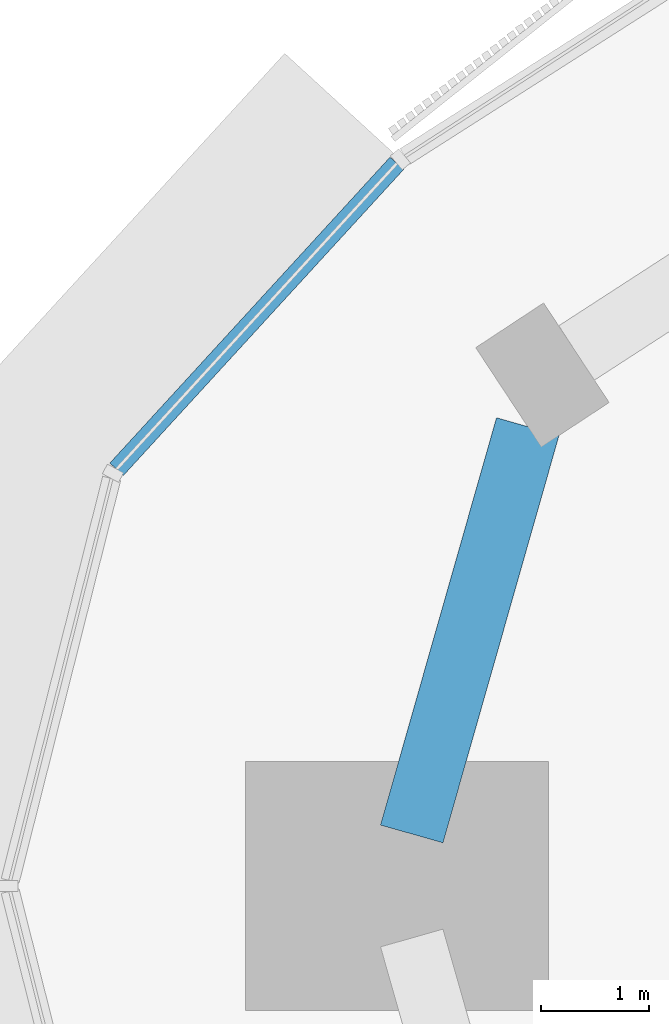
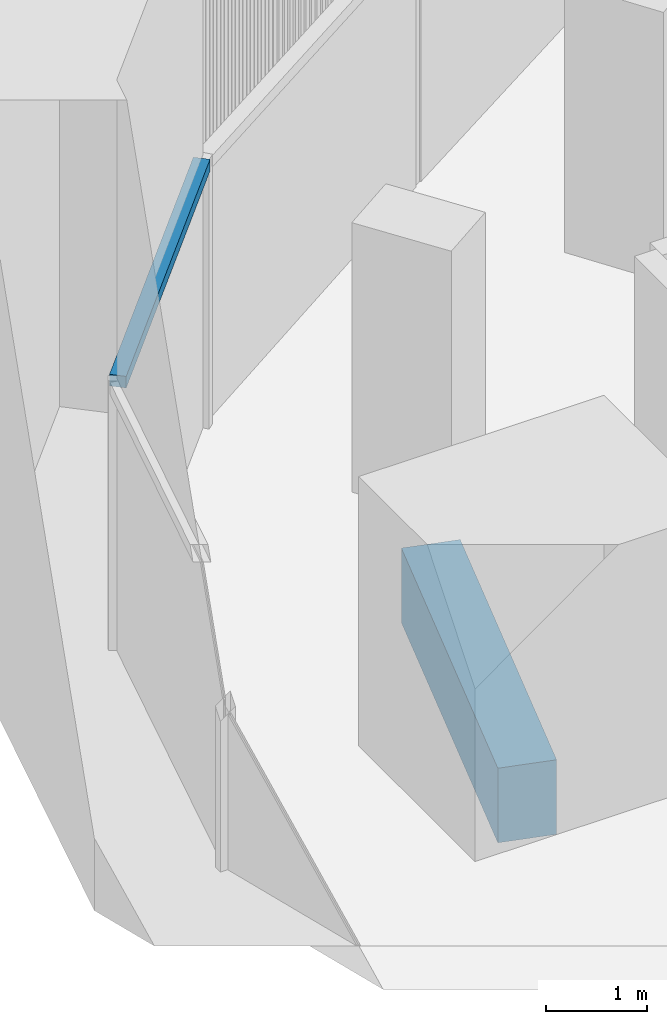
# One storey, part 3 of 16: 1 beam, 1 member, 1 element without a shape of its own.
"""IFC4 building model written with IfcOpenShell, lengths in metres."""

from ifc_helpers import new_model, si_unit, direction, frame, origin, origin_2d, place, context, subcontext, project, spatial, rectangle, extrude, material, material_profile, profile_set, type_object, element, aggregate, save


model = new_model("IFC4")

# Units and contexts
model_context = context("Model", 3, precision=1e-05, world=origin(), true_north=direction((0.0, 1.0)))
body_context = subcontext(model_context, "Body", "Model", "MODEL_VIEW")
ifc_project = project(units=[si_unit("LENGTHUNIT", "METRE"), si_unit("AREAUNIT", "SQUARE_METRE"), si_unit("VOLUMEUNIT", "CUBIC_METRE"), si_unit("PLANEANGLEUNIT", "RADIAN"), si_unit("MASSUNIT", "GRAM", prefix="KILO")], contexts=[model_context])

# Site, building, storey
site_placement = place(None, origin())
site = spatial("IfcSite", under=ifc_project, at=site_placement, CompositionType="ELEMENT")
building_placement = place(site_placement, origin())
building = spatial("IfcBuilding", under=site, at=building_placement, Name="Tamra Quay Hotel Tower", CompositionType="ELEMENT")
storey_placement = place(building_placement, frame((0.0, 0.0, 243.0)))
storey = spatial("IfcBuildingStorey", under=building, at=storey_placement, Name="L61", CompositionType="ELEMENT", Elevation=243.0)

# Beam
ifc_material_1 = material(Name="Concrete M60", Category="concrete")
ifc_material_profile_1 = material_profile(ifc_material_1, rectangle(XDim=0.60009765625, YDim=0.89990234375, at=origin_2d()), Name="SPANDREL BEAM RC 600x900")
ifc_profile_set_1 = profile_set([ifc_material_profile_1], Name="Concrete M60")
beam_type = type_object("IfcBeamType", Name="SPANDREL BEAM RC 600x900", PredefinedType="SPANDREL", material=ifc_profile_set_1)
beam_placement = place(storey_placement, frame((-24.2119140625, 4.24365234375, -0.800048828125), z_axis=(-0.273913429616, -0.961754351732, 0.0), x_axis=(0.961754351732, -0.273913429616, 0.0)))
element("IfcBeam", 1, at=beam_placement, inside=storey, type_object=beam_type, Name="BM-SP5-018-L61", PredefinedType="SPANDREL", context=body_context, shape_type="SweptSolid", body=[
    extrude(rectangle(XDim=0.60009765625, YDim=0.89990234375, at=origin_2d()), origin(), (0.0, 0.0, 1.0), 3.912841796875),
])

# Curtain wall, member
ifc_material_2 = material(Name="Aluminium 6063 anodised dark grey", Category="aluminium")
curtain_wall_type = type_object("IfcCurtainWallType", Name="CW2 CURTAIN WALL", PredefinedType="NOTDEFINED", material=ifc_material_2)
curtain_wall_placement = place(storey_placement, origin())
curtain_wall = element("IfcCurtainWall", 2, at=curtain_wall_placement, inside=storey, type_object=curtain_wall_type, Name="CW2 north-west face L61", PredefinedType="NOTDEFINED")
ifc_material_profile_2 = material_profile(ifc_material_2, rectangle(XDim=0.169921875, YDim=0.139892578125, at=origin_2d()), Name="TRANSOM 170X140")
ifc_profile_set_2 = profile_set([ifc_material_profile_2], Name="Aluminium 6063 anodised dark grey")
member_type = type_object("IfcMemberType", Name="TRANSOM CW2 Z5", PredefinedType="USERDEFINED", material=ifc_profile_set_2)
member_placement = place(storey_placement, frame((-25.421630859375, 6.67578125, 3.179931640625), z_axis=(-0.675436113267, -0.737418508647, 0.0), x_axis=(0.737418508647, -0.675436113267, 0.0)))
member = element("IfcMember", 3, at=member_placement, type_object=member_type, Name="CW2 transom L61.NW.9", ObjectType="TRANSOM", PredefinedType="USERDEFINED", context=body_context, shape_type="SweptSolid", body=[
    extrude(rectangle(XDim=0.169921875, YDim=0.139892578125, at=origin_2d()), origin(), (0.0, 0.0, 1.0), 3.83251953125),
])
aggregate(curtain_wall, [member])

save(model, "model.ifc")
